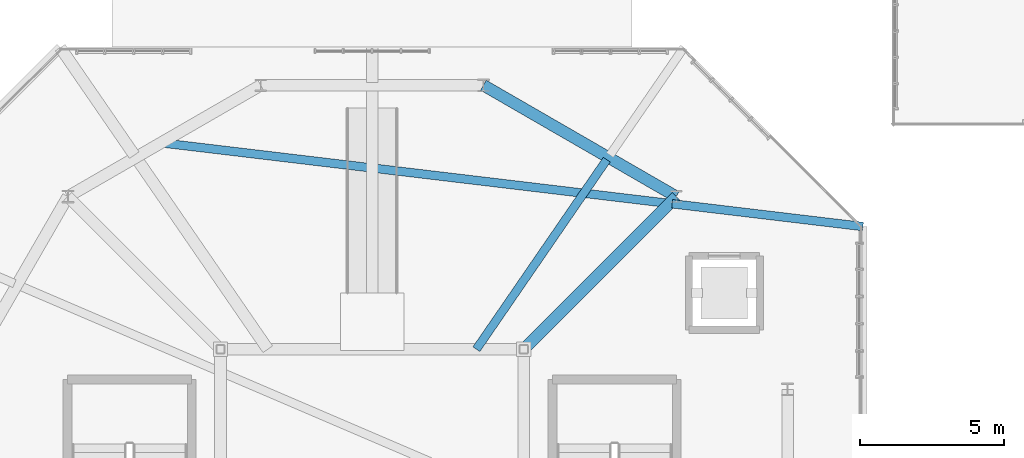
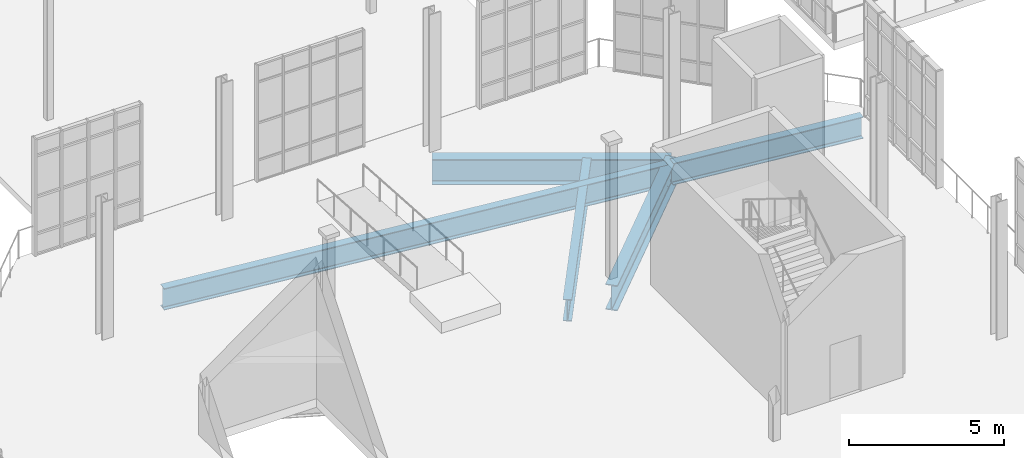
# One storey, part 63 of 189: 5 beams.
"""IFC4 building model written with IfcOpenShell, lengths in metres."""

from ifc_helpers import new_model, si_unit, direction, frame, origin, origin_2d, place, context, subcontext, project, spatial, i_section, extrude, material, material_profile, profile_set, type_object, element, save


model = new_model("IFC4")

# Units and contexts
model_context = context("Model", 3, precision=1e-05, world=origin(), true_north=direction((0.0, 1.0)))
body_context = subcontext(model_context, "Body", "Model", "MODEL_VIEW")
ifc_project = project(units=[si_unit("LENGTHUNIT", "METRE"), si_unit("AREAUNIT", "SQUARE_METRE"), si_unit("VOLUMEUNIT", "CUBIC_METRE"), si_unit("PLANEANGLEUNIT", "RADIAN"), si_unit("MASSUNIT", "GRAM", prefix="KILO"), si_unit("THERMODYNAMICTEMPERATUREUNIT", "KELVIN"), si_unit("POWERUNIT", "WATT")], contexts=[model_context])

# Site, building, storey
site_placement = place(None, origin())
site = spatial("IfcSite", under=ifc_project, at=site_placement, CompositionType="ELEMENT")
building_placement = place(site_placement, origin())
building = spatial("IfcBuilding", under=site, at=building_placement, Name="Zelmaris Science Centre", CompositionType="ELEMENT")
storey_placement = place(building_placement, origin())
storey = spatial("IfcBuildingStorey", under=building, at=storey_placement, Name="L00", CompositionType="ELEMENT", Elevation=0.0)

# Beams
ifc_material = material(Name="Steel ASTM A992 Grade 50", Category="steel")
ifc_material_profile_1 = material_profile(ifc_material, i_section(OverallWidth=0.294921875, OverallDepth=0.85107421875, WebThickness=0.01611328125, FlangeThickness=0.02685546875, FilletRadius=0.02001953125, at=origin_2d()), Name="W33X152")
ifc_profile_set_1 = profile_set([ifc_material_profile_1], Name="Steel ASTM A992 Grade 50")
beam_type_1 = type_object("IfcBeamType", Name="Beam G-06 W33X152", PredefinedType="BEAM", material=ifc_profile_set_1)
beam_1_placement = place(storey_placement, frame((73.692138671875, 48.399658203125, -0.765380859375), z_axis=(0.992960042631, -0.118449794164, 0.0), x_axis=(0.118449794164, 0.992960042631, 0.0)))
element("IfcBeam", 1, at=beam_1_placement, inside=storey, type_object=beam_type_1, Name="L00 Overhang back-span girder 6", PredefinedType="BEAM", context=body_context, shape_type="SweptSolid", body=[
    extrude(i_section(OverallWidth=0.294921875, OverallDepth=0.85107421875, WebThickness=0.01611328125, FlangeThickness=0.02685546875, FilletRadius=0.02001953125, at=origin_2d()), origin(), (0.0, 0.0, 1.0), 17.63720703125),
])
beam_2_placement = place(storey_placement, frame((91.3935546875, 46.2880859375, -0.765380859375), z_axis=(0.992959940108, -0.118450653609, 0.0), x_axis=(0.118450653609, 0.992959940108, 0.0)))
element("IfcBeam", 2, at=beam_2_placement, inside=storey, type_object=beam_type_1, Name="L00 Radial overhang girder 6", PredefinedType="BEAM", context=body_context, shape_type="SweptSolid", body=[
    extrude(i_section(OverallWidth=0.294921875, OverallDepth=0.85107421875, WebThickness=0.01611328125, FlangeThickness=0.02685546875, FilletRadius=0.02001953125, at=origin_2d()), origin(), (0.0, 0.0, 1.0), 6.6533203125),
])
ifc_material_profile_2 = material_profile(ifc_material, i_section(OverallWidth=0.40087890625, OverallDepth=1.0009765625, WebThickness=0.01904296875, FlangeThickness=0.0361328125, FilletRadius=0.02490234375, at=origin_2d()), Name="W40X249")
ifc_profile_set_2 = profile_set([ifc_material_profile_2], Name="Steel ASTM A992 Grade 50")
beam_type_2 = type_object("IfcBeamType", Name="Beam G-22 W40X249", PredefinedType="BEAM", material=ifc_profile_set_2)
beam_3_placement = place(storey_placement, frame((91.535888671875, 46.535888671875, -0.840576171875), z_axis=(-0.866021648359, 0.500006504531, 0.0), x_axis=(-0.500006504531, -0.866021648359, 0.0)))
element("IfcBeam", 3, at=beam_3_placement, inside=storey, type_object=beam_type_2, Name="L00 Exhibition inner ring girder 2", PredefinedType="BEAM", context=body_context, shape_type="SweptSolid", body=[
    extrude(i_section(OverallWidth=0.40087890625, OverallDepth=1.0009765625, WebThickness=0.01904296875, FlangeThickness=0.0361328125, FilletRadius=0.02490234375, at=origin_2d()), origin(), (0.0, 0.0, 1.0), 7.712890625),
])
beam_4_placement = place(storey_placement, frame((86.25, 41.25, -0.840576171875), z_axis=(0.707106781187, 0.707106781187, 0.0), x_axis=(-0.707106781187, 0.707106781187, 0.0)))
element("IfcBeam", 4, at=beam_4_placement, inside=storey, type_object=beam_type_2, Name="L00 Atrium diagonal header girder 3", PredefinedType="BEAM", context=body_context, shape_type="SweptSolid", body=[
    extrude(i_section(OverallWidth=0.40087890625, OverallDepth=1.0009765625, WebThickness=0.01904296875, FlangeThickness=0.0361328125, FilletRadius=0.02490234375, at=origin_2d()), origin(), (0.0, 0.0, 1.0), 7.475341796875),
])
ifc_material_profile_3 = material_profile(ifc_material, i_section(OverallWidth=0.2919921875, OverallDepth=0.85888671875, WebThickness=0.01708984375, FlangeThickness=0.031005859375, FilletRadius=0.02001953125, at=origin_2d()), Name="W33X169")
ifc_profile_set_3 = profile_set([ifc_material_profile_3], Name="Steel ASTM A992 Grade 50")
beam_type_3 = type_object("IfcBeamType", Name="Beam G-29 W33X169", PredefinedType="BEAM", material=ifc_profile_set_3)
beam_5_placement = place(storey_placement, frame((84.611572265625, 41.25, -0.76953125), z_axis=(0.566757608404, 0.823884587376, 0.0), x_axis=(-0.823884587376, 0.566757608404, 0.0)))
element("IfcBeam", 5, at=beam_5_placement, inside=storey, type_object=beam_type_3, Name="L00 Overhang back-span girder 7", PredefinedType="BEAM", context=body_context, shape_type="SweptSolid", body=[
    extrude(i_section(OverallWidth=0.2919921875, OverallDepth=0.85888671875, WebThickness=0.01708984375, FlangeThickness=0.031005859375, FilletRadius=0.02001953125, at=origin_2d()), origin(), (0.0, 0.0, 1.0), 7.969970703125),
])

save(model, "model.ifc")
